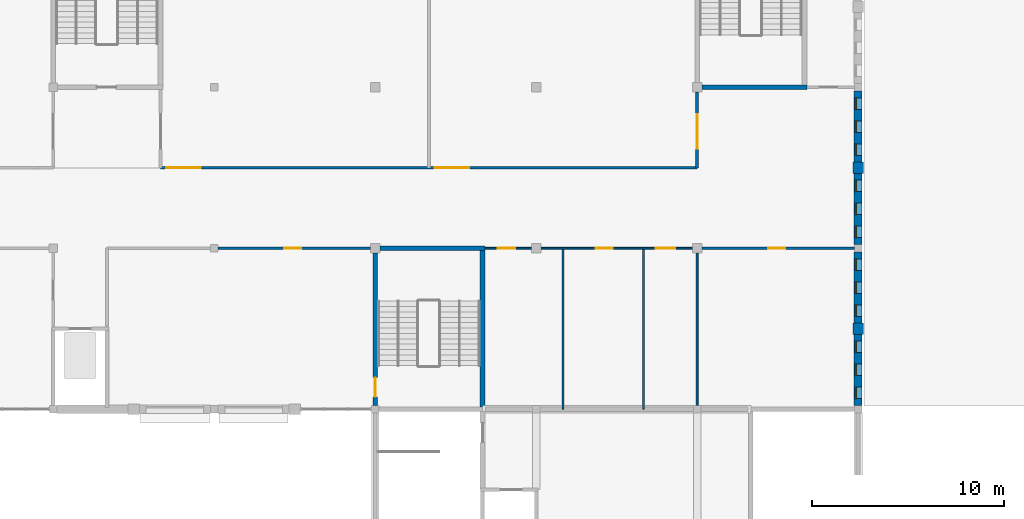
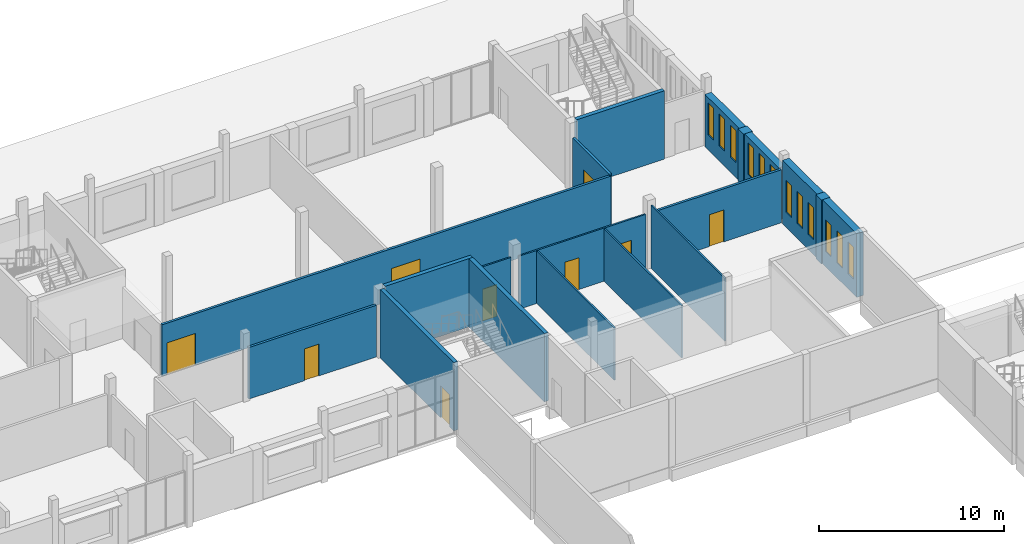
# One storey, part 83 of 101: 19 walls, 12 windows, 9 doors, 21 openings.
"""IFC4 building model written with IfcOpenShell, lengths in metres."""

from ifc_helpers import new_model, si_unit, direction, frame, frame_2d, origin, place, context, subcontext, project, spatial, rectangle, extrude, material, layer, layer_set, type_object, element, fill, save


model = new_model("IFC4")

# Units and contexts
model_context = context("Model", 3, precision=1e-05, world=origin(), true_north=direction((0.0, 1.0)))
body_context = subcontext(model_context, "Body", "Model", "MODEL_VIEW")
ifc_project = project(units=[si_unit("LENGTHUNIT", "METRE"), si_unit("AREAUNIT", "SQUARE_METRE"), si_unit("VOLUMEUNIT", "CUBIC_METRE"), si_unit("PLANEANGLEUNIT", "RADIAN"), si_unit("MASSUNIT", "GRAM", prefix="KILO")], contexts=[model_context])

# Site, building, storey
site_placement = place(None, origin())
site = spatial("IfcSite", under=ifc_project, at=site_placement, CompositionType="ELEMENT")
building_placement = place(site_placement, origin())
building = spatial("IfcBuilding", under=site, at=building_placement, Name="Fescue Hill Polytechnic", CompositionType="ELEMENT")
storey_placement = place(building_placement, frame((0.0, 0.0, 9.0)))
storey = spatial("IfcBuildingStorey", under=building, at=storey_placement, Name="L02", CompositionType="ELEMENT", Elevation=9.0)

# Walls
ifc_material_1 = material(Name="Clay brick masonry", Category="masonry")
ifc_layer_1 = layer(ifc_material_1, 0.550048828125)
ifc_layer_set_1 = layer_set([ifc_layer_1], Name="Clay brick masonry")
wall_type_1 = type_object("IfcWallType", Name="Brick pier 600x550", PredefinedType="SOLIDWALL", material=ifc_layer_set_1)
wall_1_placement = place(storey_placement, frame((117.60009765625, 113.10009765625, 0.0), z_axis=(0.0, 0.0, 1.0), x_axis=(0.0, 1.0, 0.0)))
element("IfcWall", 1, at=wall_1_placement, inside=storey, type_object=wall_type_1, Name="PR-L02-V4b-1", PredefinedType="SOLIDWALL", context=body_context, shape_type="SweptSolid", body=[
    extrude(rectangle(XDim=0.599853515625, YDim=0.550048828125, at=frame_2d((0.2998046875, 0.0))), origin(), (0.0, 0.0, 1.0), 4.199951171875),
])
wall_2_placement = place(storey_placement, frame((117.60009765625, 121.5, 0.0), z_axis=(0.0, 0.0, 1.0), x_axis=(0.0, 1.0, 0.0)))
element("IfcWall", 2, at=wall_2_placement, inside=storey, type_object=wall_type_1, Name="PR-L02-V4b-2", PredefinedType="SOLIDWALL", context=body_context, shape_type="SweptSolid", body=[
    extrude(rectangle(XDim=0.60009765625, YDim=0.550048828125, at=frame_2d((0.300048828125, 0.0))), origin(), (0.0, 0.0, 1.0), 3.449951171875),
])
ifc_material_2 = material(Name="Concrete 40 MPa", Category="concrete")
ifc_layer_2 = layer(ifc_material_2, 0.25)
ifc_layer_set_2 = layer_set([ifc_layer_2], Name="Concrete 40 MPa")
wall_type_2 = type_object("IfcWallType", Name="Core wall 250", PredefinedType="SHEAR", material=ifc_layer_set_2)
for number, where, z_axis, x_axis, name in (
    (3, (109.449951171875, 126.0, 0.0), (0.0, 0.0, 1.0), (1.0, 0.0, 0.0), "CW-L02-ST-V4b-2-11"),
    (4, (92.64990234375, 117.60009765625, 0.0), (0.0, 0.0, 1.0), (1.0, 0.0, 0.0), "CW-L02-ST-V4b-3-21"),
):
    element("IfcWall", number, at=place(storey_placement, frame(where, z_axis=z_axis, x_axis=x_axis)), inside=storey, type_object=wall_type_2, Name=name, PredefinedType="SHEAR", context=body_context, shape_type="SweptSolid", body=[
        extrude(rectangle(XDim=5.47509765625, YDim=0.25, at=frame_2d((2.737548828125, 0.0))), origin(), (0.0, 0.0, 1.0), 4.5),
    ])

# Wall, opening, door
wall_3_placement = place(storey_placement, frame((92.39990234375, 109.39990234375, 0.0), z_axis=(0.0, 0.0, 1.0), x_axis=(0.0, 1.0, 0.0)))
wall_3 = element("IfcWall", 5, at=wall_3_placement, inside=storey, type_object=wall_type_2, Name="CW-L02-ST-V4b-3-31", PredefinedType="SHEAR", context=body_context, shape_type="SweptSolid", body=[
    extrude(rectangle(XDim=7.9501953125, YDim=0.25, at=frame_2d((3.97509765625, 0.0))), origin(), (0.0, 0.0, 1.0), 4.5),
])
opening_1_placement = place(wall_3_placement, frame((0.449951171875, 0.0, 0.0)))
opening_1 = element("IfcOpeningElement", 6, at=opening_1_placement, cuts=wall_3, Name="Opening D2098", PredefinedType="OPENING", context=body_context, shape_type="SweptSolid", body=[
    extrude(rectangle(XDim=1.0, YDim=2.10009765625, at=frame_2d((0.5, 1.050048828125))), frame((0.0, 0.135009765625, 0.0), z_axis=(0.0, -1.0, 0.0), x_axis=(1.0, 0.0, 0.0)), (0.0, 0.0, 1.0), 0.27001953125),
])
ifc_material_3 = material(Name="Steel fire door", Category="steel")
door_type_1 = type_object("IfcDoorType", Name="Door single swing 1000x2100 stair fire rated", OperationType="NOTDEFINED", PredefinedType="DOOR", material=ifc_material_3)
door_1_placement = place(opening_1_placement, origin())
door_1 = element("IfcDoor", 7, at=door_1_placement, inside=storey, type_object=door_type_1, Name="L02 ST-V4b-3 stair door", OperationType="SINGLE_SWING_LEFT", OverallHeight=2.10009765625, OverallWidth=1.0, PredefinedType="DOOR", context=body_context, shape_type="SweptSolid", body=[
    extrude(rectangle(XDim=1.0, YDim=2.10009765625, at=frame_2d((0.5, 1.050048828125))), frame((0.0, 0.02490234375, 0.0), z_axis=(0.0, -1.0, 0.0), x_axis=(1.0, 0.0, 0.0)), (0.0, 0.0, 1.0), 0.050048828125),
])
fill(opening_1, door_1)

# Wall
wall_4_placement = place(storey_placement, frame((98.0, 109.324951171875, 0.0), z_axis=(0.0, 0.0, 1.0), x_axis=(0.0, 1.0, 0.0)))
element("IfcWall", 8, at=wall_4_placement, inside=storey, type_object=wall_type_2, Name="CW-L02-ST-V4b-3-41", PredefinedType="SHEAR", context=body_context, shape_type="SweptSolid", body=[
    extrude(rectangle(XDim=8.150146484375, YDim=0.25, at=frame_2d((4.0751953125, 0.0))), origin(), (0.0, 0.0, 1.0), 4.5),
])

# Wall, opening, door
ifc_material_4 = material(Name="Gypsum board partition")
ifc_layer_3 = layer(ifc_material_4, 0.14990234375)
ifc_layer_set_3 = layer_set([ifc_layer_3], Name="Gypsum board partition")
wall_type_3 = type_object("IfcWallType", Name="Corridor wall 150 EI 45", PredefinedType="PARTITIONING", material=ifc_layer_set_3)
wall_5_placement = place(storey_placement, frame((84.199951171875, 117.60009765625, 0.0), z_axis=(0.0, 0.0, 1.0), x_axis=(1.0, 0.0, 0.0)))
wall_5 = element("IfcWall", 9, at=wall_5_placement, inside=storey, type_object=wall_type_3, Name="IW-L02-061", PredefinedType="PARTITIONING", context=body_context, shape_type="SweptSolid", body=[
    extrude(rectangle(XDim=7.949951171875, YDim=0.14990234375, at=frame_2d((3.97509765625, 0.0))), origin(), (0.0, 0.0, 1.0), 3.39990234375),
])
opening_2_placement = place(wall_5_placement, frame((3.449951171875, 0.0, 0.0)))
opening_2 = element("IfcOpeningElement", 10, at=opening_2_placement, cuts=wall_5, Name="Opening D2065", PredefinedType="OPENING", context=body_context, shape_type="SweptSolid", body=[
    extrude(rectangle(XDim=0.89990234375, YDim=2.10009765625, at=frame_2d((0.449951171875, 1.050048828125))), frame((0.0, 0.0849609375, 0.0), z_axis=(0.0, -1.0, 0.0), x_axis=(1.0, 0.0, 0.0)), (0.0, 0.0, 1.0), 0.169921875),
])
ifc_material_5 = material(Name="Timber", Category="wood")
door_type_2 = type_object("IfcDoorType", Name="Door single swing 900x2100 FD30S", OperationType="SINGLE_SWING_LEFT", PredefinedType="DOOR", material=ifc_material_5)
door_2_placement = place(opening_2_placement, origin())
door_2 = element("IfcDoor", 11, at=door_2_placement, inside=storey, type_object=door_type_2, Name="Door D2065", OperationType="SINGLE_SWING_LEFT", OverallHeight=2.10009765625, OverallWidth=0.89990234375, PredefinedType="DOOR", context=body_context, shape_type="SweptSolid", body=[
    extrude(rectangle(XDim=0.89990234375, YDim=2.10009765625, at=frame_2d((0.449951171875, 1.050048828125))), frame((0.0, 0.02490234375, 0.0), z_axis=(0.0, -1.0, 0.0), x_axis=(1.0, 0.0, 0.0)), (0.0, 0.0, 1.0), 0.050048828125),
])
fill(opening_2, door_2)

wall_6_placement = place(storey_placement, frame((109.449951171875, 117.60009765625, 0.0), z_axis=(0.0, 0.0, 1.0), x_axis=(1.0, 0.0, 0.0)))
wall_6 = element("IfcWall", 12, at=wall_6_placement, inside=storey, type_object=wall_type_3, Name="IW-L02-062", PredefinedType="PARTITIONING", context=body_context, shape_type="SweptSolid", body=[
    extrude(rectangle(XDim=7.949951171875, YDim=0.14990234375, at=frame_2d((3.97509765625, 0.0))), origin(), (0.0, 0.0, 1.0), 3.5),
])
opening_3_placement = place(wall_6_placement, frame((3.449951171875, 0.0, 0.0)))
opening_3 = element("IfcOpeningElement", 13, at=opening_3_placement, cuts=wall_6, Name="Opening D2069", PredefinedType="OPENING", context=body_context, shape_type="SweptSolid", body=[
    extrude(rectangle(XDim=0.89990234375, YDim=2.10009765625, at=frame_2d((0.449951171875, 1.050048828125))), frame((0.0, 0.0849609375, 0.0), z_axis=(0.0, -1.0, 0.0), x_axis=(1.0, 0.0, 0.0)), (0.0, 0.0, 1.0), 0.169921875),
])
door_3_placement = place(opening_3_placement, origin())
door_3 = element("IfcDoor", 14, at=door_3_placement, inside=storey, type_object=door_type_2, Name="Door D2069", OperationType="SINGLE_SWING_LEFT", OverallHeight=2.10009765625, OverallWidth=0.89990234375, PredefinedType="DOOR", context=body_context, shape_type="SweptSolid", body=[
    extrude(rectangle(XDim=0.89990234375, YDim=2.10009765625, at=frame_2d((0.449951171875, 1.050048828125))), frame((0.0, 0.02490234375, 0.0), z_axis=(0.0, -1.0, 0.0), x_axis=(1.0, 0.0, 0.0)), (0.0, 0.0, 1.0), 0.050048828125),
])
fill(opening_3, door_3)

# Wall, openings, doors
wall_7_placement = place(storey_placement, frame((81.199951171875, 121.800048828125, 0.0), z_axis=(0.0, 0.0, 1.0), x_axis=(1.0, 0.0, 0.0)))
wall_7 = element("IfcWall", 15, at=wall_7_placement, inside=storey, type_object=wall_type_3, Name="IW-L02-070", PredefinedType="PARTITIONING", context=body_context, shape_type="SweptSolid", body=[
    extrude(rectangle(XDim=28.0, YDim=0.14990234375, at=frame_2d((14.0, 0.0))), origin(), (0.0, 0.0, 1.0), 3.39990234375),
])
opening_4_placement = place(wall_7_placement, frame((0.300048828125, 0.0, 0.0)))
opening_4 = element("IfcOpeningElement", 16, at=opening_4_placement, cuts=wall_7, Name="Opening D2073", PredefinedType="OPENING", context=body_context, shape_type="SweptSolid", body=[
    extrude(rectangle(XDim=1.800048828125, YDim=2.10009765625, at=frame_2d((0.89990234375, 1.050048828125))), frame((0.0, 0.0849609375, 0.0), z_axis=(0.0, -1.0, 0.0), x_axis=(1.0, 0.0, 0.0)), (0.0, 0.0, 1.0), 0.169921875),
])
opening_5_placement = place(wall_7_placement, frame((14.300048828125, 0.0, 0.0)))
opening_5 = element("IfcOpeningElement", 17, at=opening_5_placement, cuts=wall_7, Name="Opening D2075", PredefinedType="OPENING", context=body_context, shape_type="SweptSolid", body=[
    extrude(rectangle(XDim=1.800048828125, YDim=2.10009765625, at=frame_2d((0.89990234375, 1.050048828125))), frame((0.0, 0.0849609375, 0.0), z_axis=(0.0, -1.0, 0.0), x_axis=(1.0, 0.0, 0.0)), (0.0, 0.0, 1.0), 0.169921875),
])
door_type_3 = type_object("IfcDoorType", Name="Door double swing 1800x2100 FD30S", OperationType="DOUBLE_DOOR_SINGLE_SWING", PredefinedType="DOOR", material=ifc_material_5)
door_4_placement = place(opening_4_placement, origin())
door_4 = element("IfcDoor", 18, at=door_4_placement, inside=storey, type_object=door_type_3, Name="Door D2073", OperationType="DOUBLE_DOOR_SINGLE_SWING", OverallHeight=2.10009765625, OverallWidth=1.800048828125, PredefinedType="DOOR", context=body_context, shape_type="SweptSolid", body=[
    extrude(rectangle(XDim=1.800048828125, YDim=2.10009765625, at=frame_2d((0.89990234375, 1.050048828125))), frame((0.0, 0.02490234375, 0.0), z_axis=(0.0, -1.0, 0.0), x_axis=(1.0, 0.0, 0.0)), (0.0, 0.0, 1.0), 0.050048828125),
])
fill(opening_4, door_4)
door_5_placement = place(opening_5_placement, origin())
door_5 = element("IfcDoor", 19, at=door_5_placement, inside=storey, type_object=door_type_3, Name="Door D2075", OperationType="DOUBLE_DOOR_SINGLE_SWING", OverallHeight=2.10009765625, OverallWidth=1.800048828125, PredefinedType="DOOR", context=body_context, shape_type="SweptSolid", body=[
    extrude(rectangle(XDim=1.800048828125, YDim=2.10009765625, at=frame_2d((0.89990234375, 1.050048828125))), frame((0.0, 0.02490234375, 0.0), z_axis=(0.0, -1.0, 0.0), x_axis=(1.0, 0.0, 0.0)), (0.0, 0.0, 1.0), 0.050048828125),
])
fill(opening_5, door_5)

# Wall, openings, windows
ifc_layer_4 = layer(ifc_material_1, 0.419921875)
ifc_layer_set_4 = layer_set([ifc_layer_4], Name="Clay brick masonry")
wall_type_4 = type_object("IfcWallType", Name="Exterior wall buff-red brick cavity 420", PredefinedType="SOLIDWALL", material=ifc_layer_set_4)
wall_8_placement = place(storey_placement, frame((117.60009765625, 109.39990234375, 0.0), z_axis=(0.0, 0.0, 1.0), x_axis=(0.0, 1.0, 0.0)))
wall_8 = element("IfcWall", 20, at=wall_8_placement, inside=storey, type_object=wall_type_4, Name="EW-L02-V4b-1", PredefinedType="SOLIDWALL", context=body_context, shape_type="SweptSolid", body=[
    extrude(rectangle(XDim=3.7001953125, YDim=0.419921875, at=frame_2d((1.85009765625, 0.0))), origin(), (0.0, 0.0, 1.0), 4.199951171875),
])
opening_6_placement = place(wall_8_placement, frame((0.35009765625, 0.0, 1.0)))
opening_6 = element("IfcOpeningElement", 21, at=opening_6_placement, cuts=wall_8, Name="Opening W6", PredefinedType="OPENING", context=body_context, shape_type="SweptSolid", body=[
    extrude(rectangle(XDim=0.60009765625, YDim=2.10009765625, at=frame_2d((0.300048828125, 1.050048828125))), frame((0.0, 0.219970703125, 0.0), z_axis=(0.0, -1.0, 0.0), x_axis=(1.0, 0.0, 0.0)), (0.0, 0.0, 1.0), 0.43994140625),
])
opening_7_placement = place(wall_8_placement, frame((1.550048828125, 0.0, 1.0)))
opening_7 = element("IfcOpeningElement", 22, at=opening_7_placement, cuts=wall_8, Name="Opening W6", PredefinedType="OPENING", context=body_context, shape_type="SweptSolid", body=[
    extrude(rectangle(XDim=0.60009765625, YDim=2.10009765625, at=frame_2d((0.300048828125, 1.050048828125))), frame((0.0, 0.219970703125, 0.0), z_axis=(0.0, -1.0, 0.0), x_axis=(1.0, 0.0, 0.0)), (0.0, 0.0, 1.0), 0.43994140625),
])
opening_8_placement = place(wall_8_placement, frame((2.75, 0.0, 1.0)))
opening_8 = element("IfcOpeningElement", 23, at=opening_8_placement, cuts=wall_8, Name="Opening W6", PredefinedType="OPENING", context=body_context, shape_type="SweptSolid", body=[
    extrude(rectangle(XDim=0.60009765625, YDim=2.10009765625, at=frame_2d((0.300048828125, 1.050048828125))), frame((0.0, 0.219970703125, 0.0), z_axis=(0.0, -1.0, 0.0), x_axis=(1.0, 0.0, 0.0)), (0.0, 0.0, 1.0), 0.43994140625),
])
ifc_material_6 = material(Name="Powder-coated aluminium and glass", Category="aluminium")
window_type = type_object("IfcWindowType", Name="Window slot 600x2100", PartitioningType="SINGLE_PANEL", PredefinedType="WINDOW", material=ifc_material_6)
window_1_placement = place(opening_6_placement, origin())
window_1 = element("IfcWindow", 24, at=window_1_placement, inside=storey, type_object=window_type, Name="WN-L02-V4b-1", OverallHeight=2.10009765625, OverallWidth=0.60009765625, PartitioningType="SINGLE_PANEL", PredefinedType="WINDOW", context=body_context, shape_type="SweptSolid", body=[
    extrude(rectangle(XDim=0.60009765625, YDim=2.10009765625, at=frame_2d((0.300048828125, 1.050048828125))), frame((0.0, 0.150146484375, 0.0), z_axis=(0.0, -1.0, 0.0), x_axis=(1.0, 0.0, 0.0)), (0.0, 0.0, 1.0), 0.06005859375),
])
fill(opening_6, window_1)
window_2_placement = place(opening_7_placement, origin())
window_2 = element("IfcWindow", 25, at=window_2_placement, inside=storey, type_object=window_type, Name="WN-L02-V4b-2", OverallHeight=2.10009765625, OverallWidth=0.60009765625, PartitioningType="SINGLE_PANEL", PredefinedType="WINDOW", context=body_context, shape_type="SweptSolid", body=[
    extrude(rectangle(XDim=0.60009765625, YDim=2.10009765625, at=frame_2d((0.300048828125, 1.050048828125))), frame((0.0, 0.150146484375, 0.0), z_axis=(0.0, -1.0, 0.0), x_axis=(1.0, 0.0, 0.0)), (0.0, 0.0, 1.0), 0.06005859375),
])
fill(opening_7, window_2)
window_3_placement = place(opening_8_placement, origin())
window_3 = element("IfcWindow", 26, at=window_3_placement, inside=storey, type_object=window_type, Name="WN-L02-V4b-3", OverallHeight=2.10009765625, OverallWidth=0.60009765625, PartitioningType="SINGLE_PANEL", PredefinedType="WINDOW", context=body_context, shape_type="SweptSolid", body=[
    extrude(rectangle(XDim=0.60009765625, YDim=2.10009765625, at=frame_2d((0.300048828125, 1.050048828125))), frame((0.0, 0.150146484375, 0.0), z_axis=(0.0, -1.0, 0.0), x_axis=(1.0, 0.0, 0.0)), (0.0, 0.0, 1.0), 0.06005859375),
])
fill(opening_8, window_3)

wall_9_placement = place(storey_placement, frame((117.60009765625, 113.699951171875, 0.0), z_axis=(0.0, 0.0, 1.0), x_axis=(0.0, 1.0, 0.0)))
wall_9 = element("IfcWall", 27, at=wall_9_placement, inside=storey, type_object=wall_type_4, Name="EW-L02-V4b-2", PredefinedType="SOLIDWALL", context=body_context, shape_type="SweptSolid", body=[
    extrude(rectangle(XDim=3.699951171875, YDim=0.419921875, at=frame_2d((1.85009765625, 0.0))), origin(), (0.0, 0.0, 1.0), 4.199951171875),
])
opening_9_placement = place(wall_9_placement, frame((0.35009765625, 0.0, 1.0)))
opening_9 = element("IfcOpeningElement", 28, at=opening_9_placement, cuts=wall_9, Name="Opening W6", PredefinedType="OPENING", context=body_context, shape_type="SweptSolid", body=[
    extrude(rectangle(XDim=0.60009765625, YDim=2.10009765625, at=frame_2d((0.300048828125, 1.050048828125))), frame((0.0, 0.219970703125, 0.0), z_axis=(0.0, -1.0, 0.0), x_axis=(1.0, 0.0, 0.0)), (0.0, 0.0, 1.0), 0.43994140625),
])
opening_10_placement = place(wall_9_placement, frame((1.550048828125, 0.0, 1.0)))
opening_10 = element("IfcOpeningElement", 29, at=opening_10_placement, cuts=wall_9, Name="Opening W6", PredefinedType="OPENING", context=body_context, shape_type="SweptSolid", body=[
    extrude(rectangle(XDim=0.60009765625, YDim=2.10009765625, at=frame_2d((0.300048828125, 1.050048828125))), frame((0.0, 0.219970703125, 0.0), z_axis=(0.0, -1.0, 0.0), x_axis=(1.0, 0.0, 0.0)), (0.0, 0.0, 1.0), 0.43994140625),
])
opening_11_placement = place(wall_9_placement, frame((2.75, 0.0, 1.0)))
opening_11 = element("IfcOpeningElement", 30, at=opening_11_placement, cuts=wall_9, Name="Opening W6", PredefinedType="OPENING", context=body_context, shape_type="SweptSolid", body=[
    extrude(rectangle(XDim=0.60009765625, YDim=2.10009765625, at=frame_2d((0.300048828125, 1.050048828125))), frame((0.0, 0.219970703125, 0.0), z_axis=(0.0, -1.0, 0.0), x_axis=(1.0, 0.0, 0.0)), (0.0, 0.0, 1.0), 0.43994140625),
])
window_4_placement = place(opening_9_placement, origin())
window_4 = element("IfcWindow", 31, at=window_4_placement, inside=storey, type_object=window_type, Name="WN-L02-V4b-4", OverallHeight=2.10009765625, OverallWidth=0.60009765625, PartitioningType="SINGLE_PANEL", PredefinedType="WINDOW", context=body_context, shape_type="SweptSolid", body=[
    extrude(rectangle(XDim=0.60009765625, YDim=2.10009765625, at=frame_2d((0.300048828125, 1.050048828125))), frame((0.0, 0.150146484375, 0.0), z_axis=(0.0, -1.0, 0.0), x_axis=(1.0, 0.0, 0.0)), (0.0, 0.0, 1.0), 0.06005859375),
])
fill(opening_9, window_4)
window_5_placement = place(opening_10_placement, origin())
window_5 = element("IfcWindow", 32, at=window_5_placement, inside=storey, type_object=window_type, Name="WN-L02-V4b-5", OverallHeight=2.10009765625, OverallWidth=0.60009765625, PartitioningType="SINGLE_PANEL", PredefinedType="WINDOW", context=body_context, shape_type="SweptSolid", body=[
    extrude(rectangle(XDim=0.60009765625, YDim=2.10009765625, at=frame_2d((0.300048828125, 1.050048828125))), frame((0.0, 0.150146484375, 0.0), z_axis=(0.0, -1.0, 0.0), x_axis=(1.0, 0.0, 0.0)), (0.0, 0.0, 1.0), 0.06005859375),
])
fill(opening_10, window_5)
window_6_placement = place(opening_11_placement, origin())
window_6 = element("IfcWindow", 33, at=window_6_placement, inside=storey, type_object=window_type, Name="WN-L02-V4b-6", OverallHeight=2.10009765625, OverallWidth=0.60009765625, PartitioningType="SINGLE_PANEL", PredefinedType="WINDOW", context=body_context, shape_type="SweptSolid", body=[
    extrude(rectangle(XDim=0.60009765625, YDim=2.10009765625, at=frame_2d((0.300048828125, 1.050048828125))), frame((0.0, 0.150146484375, 0.0), z_axis=(0.0, -1.0, 0.0), x_axis=(1.0, 0.0, 0.0)), (0.0, 0.0, 1.0), 0.06005859375),
])
fill(opening_11, window_6)

wall_10_placement = place(storey_placement, frame((117.60009765625, 117.800048828125, 0.0), z_axis=(0.0, 0.0, 1.0), x_axis=(0.0, 1.0, 0.0)))
wall_10 = element("IfcWall", 34, at=wall_10_placement, inside=storey, type_object=wall_type_4, Name="EW-L02-V4b-3", PredefinedType="SOLIDWALL", context=body_context, shape_type="SweptSolid", body=[
    extrude(rectangle(XDim=3.699951171875, YDim=0.419921875, at=frame_2d((1.85009765625, 0.0))), origin(), (0.0, 0.0, 1.0), 3.449951171875),
])
opening_12_placement = place(wall_10_placement, frame((0.35009765625, 0.0, 1.0)))
opening_12 = element("IfcOpeningElement", 35, at=opening_12_placement, cuts=wall_10, Name="Opening W6", PredefinedType="OPENING", context=body_context, shape_type="SweptSolid", body=[
    extrude(rectangle(XDim=0.60009765625, YDim=2.10009765625, at=frame_2d((0.300048828125, 1.050048828125))), frame((0.0, 0.219970703125, 0.0), z_axis=(0.0, -1.0, 0.0), x_axis=(1.0, 0.0, 0.0)), (0.0, 0.0, 1.0), 0.43994140625),
])
opening_13_placement = place(wall_10_placement, frame((1.550048828125, 0.0, 1.0)))
opening_13 = element("IfcOpeningElement", 36, at=opening_13_placement, cuts=wall_10, Name="Opening W6", PredefinedType="OPENING", context=body_context, shape_type="SweptSolid", body=[
    extrude(rectangle(XDim=0.60009765625, YDim=2.10009765625, at=frame_2d((0.300048828125, 1.050048828125))), frame((0.0, 0.219970703125, 0.0), z_axis=(0.0, -1.0, 0.0), x_axis=(1.0, 0.0, 0.0)), (0.0, 0.0, 1.0), 0.43994140625),
])
opening_14_placement = place(wall_10_placement, frame((2.75, 0.0, 1.0)))
opening_14 = element("IfcOpeningElement", 37, at=opening_14_placement, cuts=wall_10, Name="Opening W6", PredefinedType="OPENING", context=body_context, shape_type="SweptSolid", body=[
    extrude(rectangle(XDim=0.60009765625, YDim=2.10009765625, at=frame_2d((0.300048828125, 1.050048828125))), frame((0.0, 0.219970703125, 0.0), z_axis=(0.0, -1.0, 0.0), x_axis=(1.0, 0.0, 0.0)), (0.0, 0.0, 1.0), 0.43994140625),
])
window_7_placement = place(opening_12_placement, origin())
window_7 = element("IfcWindow", 38, at=window_7_placement, inside=storey, type_object=window_type, Name="WN-L02-V4b-7", OverallHeight=2.10009765625, OverallWidth=0.60009765625, PartitioningType="SINGLE_PANEL", PredefinedType="WINDOW", context=body_context, shape_type="SweptSolid", body=[
    extrude(rectangle(XDim=0.60009765625, YDim=2.10009765625, at=frame_2d((0.300048828125, 1.050048828125))), frame((0.0, 0.150146484375, 0.0), z_axis=(0.0, -1.0, 0.0), x_axis=(1.0, 0.0, 0.0)), (0.0, 0.0, 1.0), 0.06005859375),
])
fill(opening_12, window_7)
window_8_placement = place(opening_13_placement, origin())
window_8 = element("IfcWindow", 39, at=window_8_placement, inside=storey, type_object=window_type, Name="WN-L02-V4b-8", OverallHeight=2.10009765625, OverallWidth=0.60009765625, PartitioningType="SINGLE_PANEL", PredefinedType="WINDOW", context=body_context, shape_type="SweptSolid", body=[
    extrude(rectangle(XDim=0.60009765625, YDim=2.10009765625, at=frame_2d((0.300048828125, 1.050048828125))), frame((0.0, 0.150146484375, 0.0), z_axis=(0.0, -1.0, 0.0), x_axis=(1.0, 0.0, 0.0)), (0.0, 0.0, 1.0), 0.06005859375),
])
fill(opening_13, window_8)
window_9_placement = place(opening_14_placement, origin())
window_9 = element("IfcWindow", 40, at=window_9_placement, inside=storey, type_object=window_type, Name="WN-L02-V4b-9", OverallHeight=2.10009765625, OverallWidth=0.60009765625, PartitioningType="SINGLE_PANEL", PredefinedType="WINDOW", context=body_context, shape_type="SweptSolid", body=[
    extrude(rectangle(XDim=0.60009765625, YDim=2.10009765625, at=frame_2d((0.300048828125, 1.050048828125))), frame((0.0, 0.150146484375, 0.0), z_axis=(0.0, -1.0, 0.0), x_axis=(1.0, 0.0, 0.0)), (0.0, 0.0, 1.0), 0.06005859375),
])
fill(opening_14, window_9)

wall_11_placement = place(storey_placement, frame((117.60009765625, 122.10009765625, 0.0), z_axis=(0.0, 0.0, 1.0), x_axis=(0.0, 1.0, 0.0)))
wall_11 = element("IfcWall", 41, at=wall_11_placement, inside=storey, type_object=wall_type_4, Name="EW-L02-V4b-4", PredefinedType="SOLIDWALL", context=body_context, shape_type="SweptSolid", body=[
    extrude(rectangle(XDim=3.699951171875, YDim=0.419921875, at=frame_2d((1.85009765625, 0.0))), origin(), (0.0, 0.0, 1.0), 3.449951171875),
])
opening_15_placement = place(wall_11_placement, frame((0.35009765625, 0.0, 1.0)))
opening_15 = element("IfcOpeningElement", 42, at=opening_15_placement, cuts=wall_11, Name="Opening W6", PredefinedType="OPENING", context=body_context, shape_type="SweptSolid", body=[
    extrude(rectangle(XDim=0.60009765625, YDim=2.10009765625, at=frame_2d((0.300048828125, 1.050048828125))), frame((0.0, 0.219970703125, 0.0), z_axis=(0.0, -1.0, 0.0), x_axis=(1.0, 0.0, 0.0)), (0.0, 0.0, 1.0), 0.43994140625),
])
opening_16_placement = place(wall_11_placement, frame((1.550048828125, 0.0, 1.0)))
opening_16 = element("IfcOpeningElement", 43, at=opening_16_placement, cuts=wall_11, Name="Opening W6", PredefinedType="OPENING", context=body_context, shape_type="SweptSolid", body=[
    extrude(rectangle(XDim=0.60009765625, YDim=2.10009765625, at=frame_2d((0.300048828125, 1.050048828125))), frame((0.0, 0.219970703125, 0.0), z_axis=(0.0, -1.0, 0.0), x_axis=(1.0, 0.0, 0.0)), (0.0, 0.0, 1.0), 0.43994140625),
])
opening_17_placement = place(wall_11_placement, frame((2.75, 0.0, 1.0)))
opening_17 = element("IfcOpeningElement", 44, at=opening_17_placement, cuts=wall_11, Name="Opening W6", PredefinedType="OPENING", context=body_context, shape_type="SweptSolid", body=[
    extrude(rectangle(XDim=0.60009765625, YDim=2.10009765625, at=frame_2d((0.300048828125, 1.050048828125))), frame((0.0, 0.219970703125, 0.0), z_axis=(0.0, -1.0, 0.0), x_axis=(1.0, 0.0, 0.0)), (0.0, 0.0, 1.0), 0.43994140625),
])
window_10_placement = place(opening_15_placement, origin())
window_10 = element("IfcWindow", 45, at=window_10_placement, inside=storey, type_object=window_type, Name="WN-L02-V4b-10", OverallHeight=2.10009765625, OverallWidth=0.60009765625, PartitioningType="SINGLE_PANEL", PredefinedType="WINDOW", context=body_context, shape_type="SweptSolid", body=[
    extrude(rectangle(XDim=0.60009765625, YDim=2.10009765625, at=frame_2d((0.300048828125, 1.050048828125))), frame((0.0, 0.150146484375, 0.0), z_axis=(0.0, -1.0, 0.0), x_axis=(1.0, 0.0, 0.0)), (0.0, 0.0, 1.0), 0.06005859375),
])
fill(opening_15, window_10)
window_11_placement = place(opening_16_placement, origin())
window_11 = element("IfcWindow", 46, at=window_11_placement, inside=storey, type_object=window_type, Name="WN-L02-V4b-11", OverallHeight=2.10009765625, OverallWidth=0.60009765625, PartitioningType="SINGLE_PANEL", PredefinedType="WINDOW", context=body_context, shape_type="SweptSolid", body=[
    extrude(rectangle(XDim=0.60009765625, YDim=2.10009765625, at=frame_2d((0.300048828125, 1.050048828125))), frame((0.0, 0.150146484375, 0.0), z_axis=(0.0, -1.0, 0.0), x_axis=(1.0, 0.0, 0.0)), (0.0, 0.0, 1.0), 0.06005859375),
])
fill(opening_16, window_11)
window_12_placement = place(opening_17_placement, origin())
window_12 = element("IfcWindow", 47, at=window_12_placement, inside=storey, type_object=window_type, Name="WN-L02-V4b-12", OverallHeight=2.10009765625, OverallWidth=0.60009765625, PartitioningType="SINGLE_PANEL", PredefinedType="WINDOW", context=body_context, shape_type="SweptSolid", body=[
    extrude(rectangle(XDim=0.60009765625, YDim=2.10009765625, at=frame_2d((0.300048828125, 1.050048828125))), frame((0.0, 0.150146484375, 0.0), z_axis=(0.0, -1.0, 0.0), x_axis=(1.0, 0.0, 0.0)), (0.0, 0.0, 1.0), 0.06005859375),
])
fill(opening_17, window_12)

# Wall, opening, door
ifc_layer_5 = layer(ifc_material_4, 0.14990234375)
ifc_layer_set_5 = layer_set([ifc_layer_5], Name="Gypsum board partition")
wall_type_5 = type_object("IfcWallType", Name="Lobby wall 150 EI 60", PredefinedType="PARTITIONING", material=ifc_layer_set_5)
wall_12_placement = place(storey_placement, frame((109.199951171875, 121.800048828125, 0.0), z_axis=(0.0, 0.0, 1.0), x_axis=(0.0, 1.0, 0.0)))
wall_12 = element("IfcWall", 48, at=wall_12_placement, inside=storey, type_object=wall_type_5, Name="IW-L02-115", PredefinedType="PARTITIONING", context=body_context, shape_type="SweptSolid", body=[
    extrude(rectangle(XDim=3.949951171875, YDim=0.14990234375, at=frame_2d((1.97509765625, 0.0))), origin(), (0.0, 0.0, 1.0), 3.5),
])
opening_18_placement = place(wall_12_placement, frame((1.0, 0.0, 0.0)))
opening_18 = element("IfcOpeningElement", 49, at=opening_18_placement, cuts=wall_12, Name="Opening D2074", PredefinedType="OPENING", context=body_context, shape_type="SweptSolid", body=[
    extrude(rectangle(XDim=1.800048828125, YDim=2.10009765625, at=frame_2d((0.89990234375, 1.050048828125))), frame((0.0, 0.0849609375, 0.0), z_axis=(0.0, -1.0, 0.0), x_axis=(1.0, 0.0, 0.0)), (0.0, 0.0, 1.0), 0.169921875),
])
ifc_material_7 = material(Name="Steel", Category="steel")
door_type_4 = type_object("IfcDoorType", Name="Door double swing 1800x2100 FD60", OperationType="DOUBLE_DOOR_SINGLE_SWING", PredefinedType="DOOR", material=ifc_material_7)
door_6_placement = place(opening_18_placement, origin())
door_6 = element("IfcDoor", 50, at=door_6_placement, inside=storey, type_object=door_type_4, Name="Door D2074", OperationType="DOUBLE_DOOR_SINGLE_SWING", OverallHeight=2.10009765625, OverallWidth=1.800048828125, PredefinedType="DOOR", context=body_context, shape_type="SweptSolid", body=[
    extrude(rectangle(XDim=1.800048828125, YDim=2.10009765625, at=frame_2d((0.89990234375, 1.050048828125))), frame((0.0, 0.02490234375, 0.0), z_axis=(0.0, -1.0, 0.0), x_axis=(1.0, 0.0, 0.0)), (0.0, 0.0, 1.0), 0.050048828125),
])
fill(opening_18, door_6)

ifc_layer_6 = layer(ifc_material_4, 0.10009765625)
ifc_layer_set_6 = layer_set([ifc_layer_6], Name="Gypsum board partition")
wall_type_6 = type_object("IfcWallType", Name="WC partition 100 moisture resistant", PredefinedType="PARTITIONING", material=ifc_layer_set_6)
wall_13_placement = place(storey_placement, frame((98.14990234375, 117.60009765625, 0.0), z_axis=(0.0, 0.0, 1.0), x_axis=(1.0, 0.0, 0.0)))
wall_13 = element("IfcWall", 51, at=wall_13_placement, inside=storey, type_object=wall_type_6, Name="IW-L02-064", PredefinedType="PARTITIONING", context=body_context, shape_type="SweptSolid", body=[
    extrude(rectangle(XDim=2.400146484375, YDim=0.10009765625, at=frame_2d((1.2001953125, 0.0))), origin(), (0.0, 0.0, 1.0), 3.60009765625),
])
opening_19_placement = place(wall_13_placement, frame((0.64990234375, 0.0, 0.0)))
opening_19 = element("IfcOpeningElement", 52, at=opening_19_placement, cuts=wall_13, Name="Opening D2066", PredefinedType="OPENING", context=body_context, shape_type="SweptSolid", body=[
    extrude(rectangle(XDim=0.89990234375, YDim=2.10009765625, at=frame_2d((0.449951171875, 1.050048828125))), frame((0.0, 0.06005859375, 0.0), z_axis=(0.0, -1.0, 0.0), x_axis=(1.0, 0.0, 0.0)), (0.0, 0.0, 1.0), 0.1201171875),
])
door_type_5 = type_object("IfcDoorType", Name="Door single swing 900x2100 WC", OperationType="SINGLE_SWING_LEFT", PredefinedType="DOOR", material=ifc_material_5)
door_7_placement = place(opening_19_placement, origin())
door_7 = element("IfcDoor", 53, at=door_7_placement, inside=storey, type_object=door_type_5, Name="Door D2066", OperationType="SINGLE_SWING_LEFT", OverallHeight=2.10009765625, OverallWidth=0.89990234375, PredefinedType="DOOR", context=body_context, shape_type="SweptSolid", body=[
    extrude(rectangle(XDim=0.89990234375, YDim=2.10009765625, at=frame_2d((0.449951171875, 1.050048828125))), frame((0.0, 0.02490234375, 0.0), z_axis=(0.0, -1.0, 0.0), x_axis=(1.0, 0.0, 0.0)), (0.0, 0.0, 1.0), 0.050048828125),
])
fill(opening_19, door_7)

# Wall, openings, doors
wall_14_placement = place(storey_placement, frame((101.050048828125, 117.60009765625, 0.0), z_axis=(0.0, 0.0, 1.0), x_axis=(1.0, 0.0, 0.0)))
wall_14 = element("IfcWall", 54, at=wall_14_placement, inside=storey, type_object=wall_type_6, Name="IW-L02-065", PredefinedType="PARTITIONING", context=body_context, shape_type="SweptSolid", body=[
    extrude(rectangle(XDim=7.89990234375, YDim=0.10009765625, at=frame_2d((3.949951171875, 0.0))), origin(), (0.0, 0.0, 1.0), 3.5),
])
opening_20_placement = place(wall_14_placement, frame((2.85009765625, 0.0, 0.0)))
opening_20 = element("IfcOpeningElement", 55, at=opening_20_placement, cuts=wall_14, Name="Opening D2067", PredefinedType="OPENING", context=body_context, shape_type="SweptSolid", body=[
    extrude(rectangle(XDim=0.89990234375, YDim=2.10009765625, at=frame_2d((0.449951171875, 1.050048828125))), frame((0.0, 0.06005859375, 0.0), z_axis=(0.0, -1.0, 0.0), x_axis=(1.0, 0.0, 0.0)), (0.0, 0.0, 1.0), 0.1201171875),
])
opening_21_placement = place(wall_14_placement, frame((6.0, 0.0, 0.0)))
opening_21 = element("IfcOpeningElement", 56, at=opening_21_placement, cuts=wall_14, Name="Opening D2068", PredefinedType="OPENING", context=body_context, shape_type="SweptSolid", body=[
    extrude(rectangle(XDim=1.0, YDim=2.10009765625, at=frame_2d((0.5, 1.050048828125))), frame((0.0, 0.06005859375, 0.0), z_axis=(0.0, -1.0, 0.0), x_axis=(1.0, 0.0, 0.0)), (0.0, 0.0, 1.0), 0.1201171875),
])
door_type_6 = type_object("IfcDoorType", Name="Door single swing 1000x2100 accessible WC", OperationType="SINGLE_SWING_LEFT", PredefinedType="DOOR", material=ifc_material_5)
door_8_placement = place(opening_21_placement, origin())
door_8 = element("IfcDoor", 57, at=door_8_placement, inside=storey, type_object=door_type_6, Name="Door D2068", OperationType="SINGLE_SWING_RIGHT", OverallHeight=2.10009765625, OverallWidth=1.0, PredefinedType="DOOR", context=body_context, shape_type="SweptSolid", body=[
    extrude(rectangle(XDim=1.0, YDim=2.10009765625, at=frame_2d((0.5, 1.050048828125))), frame((0.0, 0.02490234375, 0.0), z_axis=(0.0, -1.0, 0.0), x_axis=(1.0, 0.0, 0.0)), (0.0, 0.0, 1.0), 0.050048828125),
])
fill(opening_21, door_8)
door_9_placement = place(opening_20_placement, origin())
door_9 = element("IfcDoor", 58, at=door_9_placement, inside=storey, type_object=door_type_5, Name="Door D2067", OperationType="SINGLE_SWING_LEFT", OverallHeight=2.10009765625, OverallWidth=0.89990234375, PredefinedType="DOOR", context=body_context, shape_type="SweptSolid", body=[
    extrude(rectangle(XDim=0.89990234375, YDim=2.10009765625, at=frame_2d((0.449951171875, 1.050048828125))), frame((0.0, 0.02490234375, 0.0), z_axis=(0.0, -1.0, 0.0), x_axis=(1.0, 0.0, 0.0)), (0.0, 0.0, 1.0), 0.050048828125),
])
fill(opening_20, door_9)

# Walls
for number, where, z_axis, x_axis, name in (
    (59, (102.199951171875, 109.199951171875, 0.0), (0.0, 0.0, 1.0), (0.0, 1.0, 0.0), "IW-L02-112"),
    (60, (106.39990234375, 109.199951171875, 0.0), (0.0, 0.0, 1.0), (0.0, 1.0, 0.0), "IW-L02-114"),
):
    element("IfcWall", number, at=place(storey_placement, frame(where, z_axis=z_axis, x_axis=x_axis)), inside=storey, type_object=wall_type_6, Name=name, PredefinedType="PARTITIONING", context=body_context, shape_type="SweptSolid", body=[
        extrude(rectangle(XDim=8.400146484375, YDim=0.10009765625, at=frame_2d((4.2001953125, 0.0))), origin(), (0.0, 0.0, 1.0), 3.449951171875),
    ])
wall_15_placement = place(storey_placement, frame((109.199951171875, 109.39990234375, 0.0), z_axis=(0.0, 0.0, 1.0), x_axis=(0.0, 1.0, 0.0)))
element("IfcWall", 61, at=wall_15_placement, inside=storey, type_object=wall_type_6, Name="IW-L02-116", PredefinedType="PARTITIONING", context=body_context, shape_type="SweptSolid", body=[
    extrude(rectangle(XDim=7.9501953125, YDim=0.10009765625, at=frame_2d((3.97509765625, 0.0))), origin(), (0.0, 0.0, 1.0), 4.14990234375),
])

save(model, "model.ifc")
